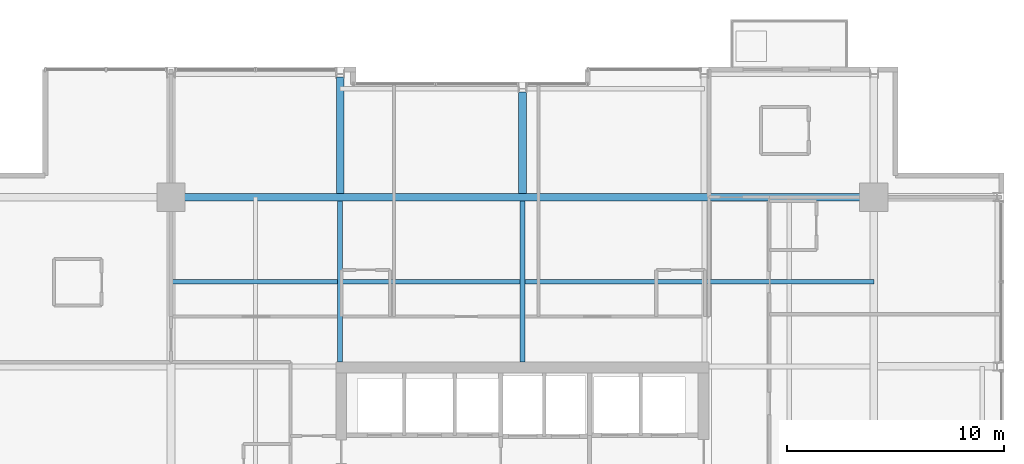
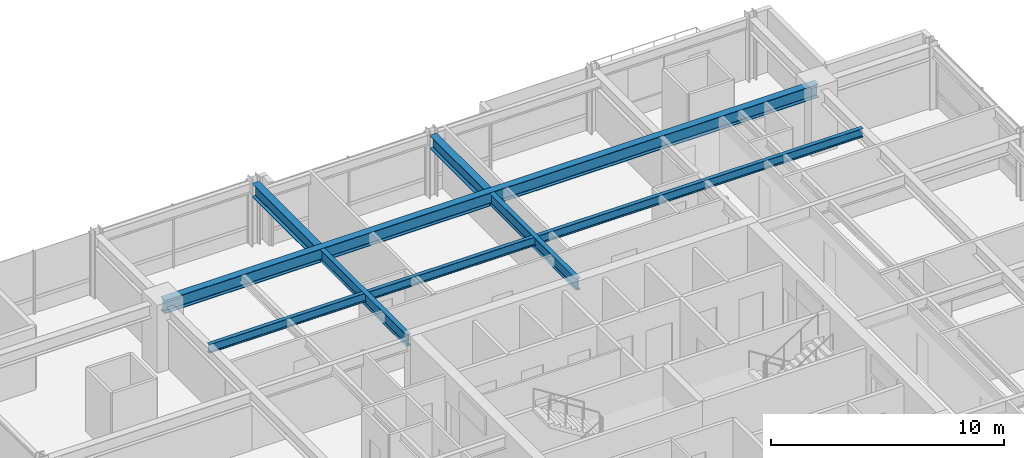
# One storey, part 20 of 33: 6 beams.
"""IFC4 building model written with IfcOpenShell, lengths in metres."""

from ifc_helpers import new_model, si_unit, direction, frame, origin, origin_2d, place, context, subcontext, project, spatial, i_section, extrude, material, material_profile, profile_set, type_object, element, save


model = new_model("IFC4")

# Units and contexts
model_context = context("Model", 3, precision=1e-05, world=origin(), true_north=direction((0.0, 1.0)))
body_context = subcontext(model_context, "Body", "Model", "MODEL_VIEW")
ifc_project = project(units=[si_unit("LENGTHUNIT", "METRE"), si_unit("AREAUNIT", "SQUARE_METRE"), si_unit("VOLUMEUNIT", "CUBIC_METRE"), si_unit("PLANEANGLEUNIT", "RADIAN"), si_unit("MASSUNIT", "GRAM", prefix="KILO")], contexts=[model_context])

# Site, building, storey
site_placement = place(None, origin())
site = spatial("IfcSite", under=ifc_project, at=site_placement, CompositionType="ELEMENT")
building_placement = place(site_placement, origin())
building = spatial("IfcBuilding", under=site, at=building_placement, Name="Drelvath Grand Hotel", CompositionType="ELEMENT")
storey_placement = place(building_placement, frame((0.0, 0.0, 171.699951171875)))
storey = spatial("IfcBuildingStorey", under=building, at=storey_placement, Name="L44", CompositionType="ELEMENT", Elevation=171.699951171875)

# Beams
ifc_material = material(Name="Steel ASTM A992 Gr 50", Category="steel")
ifc_material_profile_1 = material_profile(ifc_material, i_section(OverallWidth=0.19140625, OverallDepth=0.4599609375, WebThickness=0.010009765625, FlangeThickness=0.01611328125, FilletRadius=0.01611328125, at=origin_2d()), Name="W18X55")
ifc_profile_set_1 = profile_set([ifc_material_profile_1], Name="Steel ASTM A992 Gr 50")
beam_type_1 = type_object("IfcBeamType", Name="Composite Floor Joist W18X55", PredefinedType="JOIST", material=ifc_profile_set_1)
beam_1_placement = place(storey_placement, frame((-16.199951171875, 39.300048828125, 3.06005859375), z_axis=(1.0, 0.0, 0.0), x_axis=(0.0, 1.0, 0.0)))
element("IfcBeam", 1, at=beam_1_placement, inside=storey, type_object=beam_type_1, Name="L44 Floor Joist J2", PredefinedType="JOIST", context=body_context, shape_type="SweptSolid", body=[
    extrude(i_section(OverallWidth=0.19140625, OverallDepth=0.4599609375, WebThickness=0.010009765625, FlangeThickness=0.01611328125, FilletRadius=0.01611328125, at=origin_2d()), origin(), (0.0, 0.0, 1.0), 32.39990234375),
])
ifc_material_profile_2 = material_profile(ifc_material, i_section(OverallWidth=0.228271484375, OverallDepth=0.607666015625, WebThickness=0.01123046875, FlangeThickness=0.017333984375, FilletRadius=0.02001953125, at=origin_2d()), Name="W24X76")
ifc_profile_set_2 = profile_set([ifc_material_profile_2], Name="Steel ASTM A992 Gr 50")
beam_type_2 = type_object("IfcBeamType", Name="Primary Floor Girder W24X76", PredefinedType="BEAM", material=ifc_profile_set_2)
for number, where, z_axis, x_axis, name in (
    (2, (-8.39990234375, 35.60009765625, 2.986328125), (0.0, 1.0, 0.0), (-1.0, 0.0, 0.0), "L44 North Core Tie 4"),
    (3, (0.0, 35.60009765625, 2.986328125), (0.0, 1.0, 0.0), (-1.0, 0.0, 0.0), "L44 North Core Tie 5"),
):
    element("IfcBeam", number, at=place(storey_placement, frame(where, z_axis=z_axis, x_axis=x_axis)), inside=storey, type_object=beam_type_2, Name=name, PredefinedType="BEAM", context=body_context, shape_type="SweptSolid", body=[
        extrude(i_section(OverallWidth=0.228271484375, OverallDepth=0.607666015625, WebThickness=0.01123046875, FlangeThickness=0.017333984375, FilletRadius=0.02001953125, at=origin_2d()), origin(), (0.0, 0.0, 1.0), 7.422607421875),
    ])
ifc_material_profile_3 = material_profile(ifc_material, i_section(OverallWidth=0.354736328125, OverallDepth=0.695556640625, WebThickness=0.015380859375, FlangeThickness=0.025146484375, FilletRadius=0.02392578125, at=origin_2d()), Name="W27X146")
ifc_profile_set_3 = profile_set([ifc_material_profile_3], Name="Steel ASTM A992 Gr 50")
beam_type_3 = type_object("IfcBeamType", Name="Primary Floor Girder W27X146", PredefinedType="BEAM", material=ifc_profile_set_3)
beam_2_placement = place(storey_placement, frame((-16.199951171875, 43.199951171875, 2.9423828125), z_axis=(1.0, 0.0, 0.0), x_axis=(0.0, 1.0, 0.0)))
element("IfcBeam", 4, at=beam_2_placement, inside=storey, type_object=beam_type_3, Name="L44 Mega Ring Girder North", PredefinedType="BEAM", context=body_context, shape_type="SweptSolid", body=[
    extrude(i_section(OverallWidth=0.354736328125, OverallDepth=0.695556640625, WebThickness=0.015380859375, FlangeThickness=0.025146484375, FilletRadius=0.02392578125, at=origin_2d()), origin(), (0.0, 0.0, 1.0), 32.39990234375),
])
beam_3_placement = place(storey_placement, frame((-8.39990234375, 43.37744140625, 2.9423828125), z_axis=(0.0, 1.0, 0.0), x_axis=(-1.0, 0.0, 0.0)))
element("IfcBeam", 5, at=beam_3_placement, inside=storey, type_object=beam_type_3, Name="L44 North Wing Girder 4", PredefinedType="BEAM", context=body_context, shape_type="SweptSolid", body=[
    extrude(i_section(OverallWidth=0.354736328125, OverallDepth=0.695556640625, WebThickness=0.015380859375, FlangeThickness=0.025146484375, FilletRadius=0.02392578125, at=origin_2d()), origin(), (0.0, 0.0, 1.0), 5.362548828125),
])
beam_4_placement = place(storey_placement, frame((0.0, 43.37744140625, 2.9423828125), z_axis=(0.0, 1.0, 0.0), x_axis=(-1.0, 0.0, 0.0)))
element("IfcBeam", 6, at=beam_4_placement, inside=storey, type_object=beam_type_3, Name="L44 North Wing Girder 5", PredefinedType="BEAM", context=body_context, shape_type="SweptSolid", body=[
    extrude(i_section(OverallWidth=0.354736328125, OverallDepth=0.695556640625, WebThickness=0.015380859375, FlangeThickness=0.025146484375, FilletRadius=0.02392578125, at=origin_2d()), origin(), (0.0, 0.0, 1.0), 4.6826171875),
])

save(model, "model.ifc")
